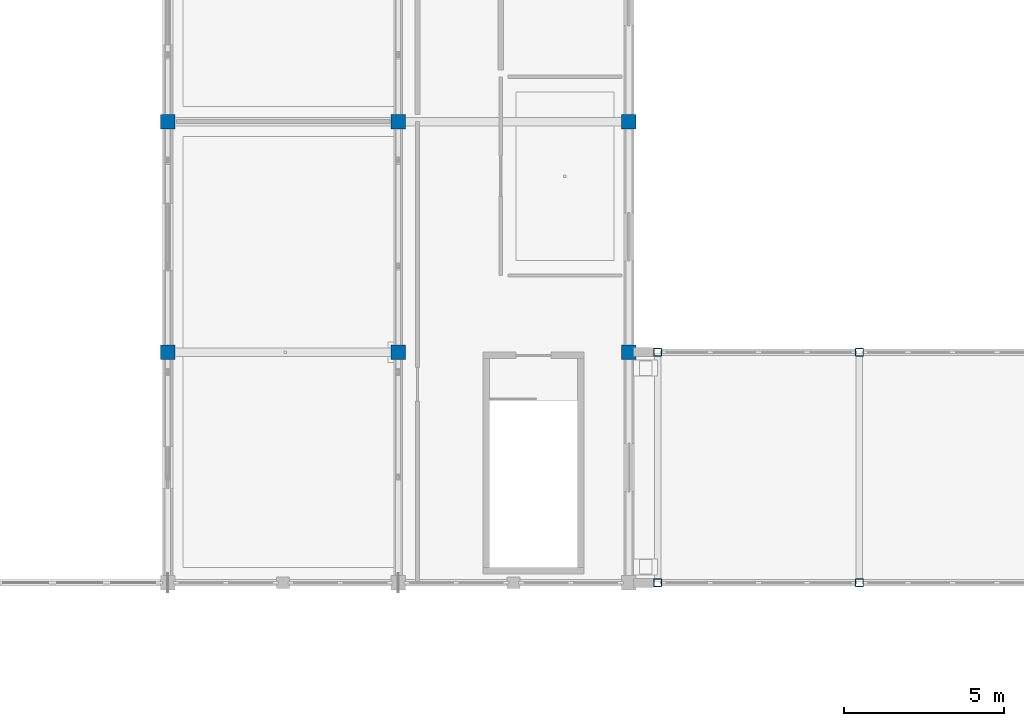
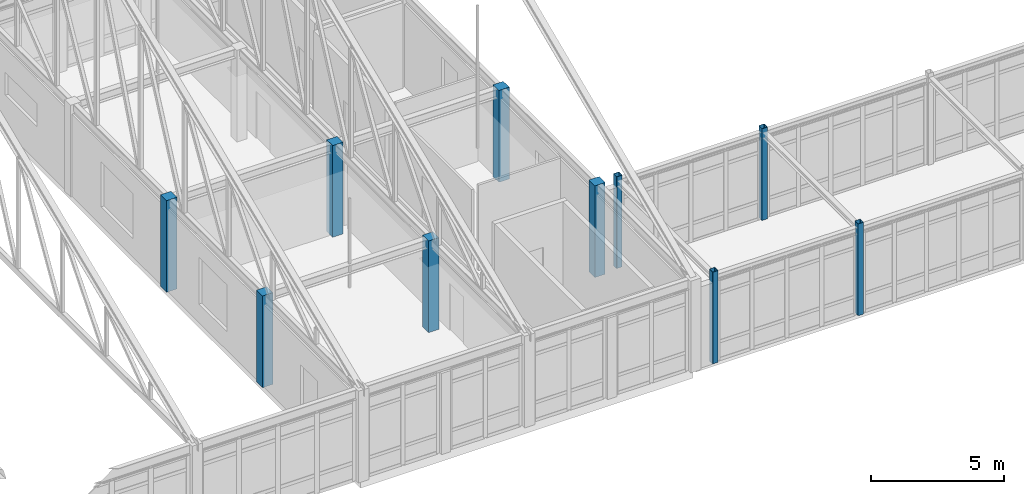
# One storey, part 2 of 136: 10 columns.
"""IFC4 building model written with IfcOpenShell, lengths in metres."""

from ifc_helpers import new_model, si_unit, direction, frame, origin, origin_2d, place, context, subcontext, project, spatial, rectangle, hollow_rectangle, extrude, material, material_profile, profile_set, type_object, element, save


model = new_model("IFC4")

# Units and contexts
model_context = context("Model", 3, precision=1e-05, world=origin(), true_north=direction((0.0, 1.0)))
body_context = subcontext(model_context, "Body", "Model", "MODEL_VIEW")
ifc_project = project(units=[si_unit("LENGTHUNIT", "METRE"), si_unit("AREAUNIT", "SQUARE_METRE"), si_unit("VOLUMEUNIT", "CUBIC_METRE"), si_unit("PLANEANGLEUNIT", "RADIAN"), si_unit("MASSUNIT", "GRAM", prefix="KILO")], contexts=[model_context])

# Site, building, storey
site_placement = place(None, origin())
site = spatial("IfcSite", under=ifc_project, at=site_placement, CompositionType="ELEMENT")
building_placement = place(site_placement, origin())
building = spatial("IfcBuilding", under=site, at=building_placement, Name="Koriwan Promenade Central Fire Station", CompositionType="ELEMENT")
storey_placement = place(building_placement, frame((0.0, 0.0, 5.39990234375)))
storey = spatial("IfcBuildingStorey", under=building, at=storey_placement, Name="L01", CompositionType="ELEMENT", Elevation=5.39990234375)

# Columns
ifc_material_1 = material(Name="Concrete C40/50", Category="concrete")
ifc_material_profile_1 = material_profile(ifc_material_1, rectangle(XDim=0.449951171875, YDim=0.449951171875, at=origin_2d()), Name="RC-COL-450x450")
ifc_profile_set_1 = profile_set([ifc_material_profile_1], Name="Concrete C40/50")
column_type_1 = type_object("IfcColumnType", Name="Column_RC-COL-450x450", PredefinedType="COLUMN", material=ifc_profile_set_1)
for number, where, z_axis, x_axis, name in (
    (1, (100.800048828125, 50.39990234375, 0.0), (0.0, 0.0, 1.0), (1.0, 0.0, 0.0), "V1 L01 column (100.8, 50.4)"),
    (2, (100.800048828125, 57.60009765625, 0.0), (0.0, 0.0, 1.0), (1.0, 0.0, 0.0), "V1 L01 column (100.8, 57.6)"),
    (3, (108.0, 50.39990234375, 0.0), (0.0, 0.0, 1.0), (1.0, 0.0, 0.0), "V1 L01 column (108.0, 50.4)"),
    (4, (108.0, 57.60009765625, 0.0), (0.0, 0.0, 1.0), (1.0, 0.0, 0.0), "V1 L01 column (108.0, 57.6)"),
    (5, (115.199951171875, 50.39990234375, 0.0), (0.0, 0.0, 1.0), (1.0, 0.0, 0.0), "V1 L01 column (115.2, 50.4)"),
    (6, (115.199951171875, 57.60009765625, 0.0), (0.0, 0.0, 1.0), (1.0, 0.0, 0.0), "V1 L01 column (115.2, 57.6)"),
):
    element("IfcColumn", number, at=place(storey_placement, frame(where, z_axis=z_axis, x_axis=x_axis)), inside=storey, type_object=column_type_1, Name=name, PredefinedType="COLUMN", context=body_context, shape_type="SweptSolid", body=[
        extrude(rectangle(XDim=0.449951171875, YDim=0.449951171875, at=origin_2d()), origin(), (0.0, 0.0, 1.0), 4.2001953125),
    ])
ifc_material_2 = material(Name="Steel ASTM A500 Grade C", Category="steel")
ifc_material_profile_2 = material_profile(ifc_material_2, hollow_rectangle(XDim=0.25, YDim=0.25, WallThickness=0.011962890625, InnerFilletRadius=0.011962890625, OuterFilletRadius=0.02392578125, at=origin_2d()), Name="HSS250x250x12")
ifc_profile_set_2 = profile_set([ifc_material_profile_2], Name="Steel ASTM A500 Grade C")
column_type_2 = type_object("IfcColumnType", Name="SteelColumn_HSS250x250x12", PredefinedType="COLUMN", material=ifc_profile_set_2)
for number, where, z_axis, x_axis, name in (
    (7, (116.10009765625, 43.199951171875, 0.0), (0.0, 0.0, 1.0), (1.0, 0.0, 0.0), "COL_CHARBAGH L01 pier (116.1, 43.2)"),
    (8, (116.10009765625, 50.39990234375, 0.0), (0.0, 0.0, 1.0), (1.0, 0.0, 0.0), "COL_CHARBAGH L01 pier (116.1, 50.4)"),
    (9, (122.39990234375, 43.199951171875, 0.0), (0.0, 0.0, 1.0), (1.0, 0.0, 0.0), "COL_CHARBAGH L01 pier (122.4, 43.2)"),
    (10, (122.39990234375, 50.39990234375, 0.0), (0.0, 0.0, 1.0), (1.0, 0.0, 0.0), "COL_CHARBAGH L01 pier (122.4, 50.4)"),
):
    element("IfcColumn", number, at=place(storey_placement, frame(where, z_axis=z_axis, x_axis=x_axis)), inside=storey, type_object=column_type_2, Name=name, PredefinedType="COLUMN", context=body_context, shape_type="SweptSolid", body=[
        extrude(hollow_rectangle(XDim=0.25, YDim=0.25, WallThickness=0.011962890625, InnerFilletRadius=0.011962890625, OuterFilletRadius=0.02392578125, at=origin_2d()), origin(), (0.0, 0.0, 1.0), 4.2001953125),
    ])

save(model, "model.ifc")
